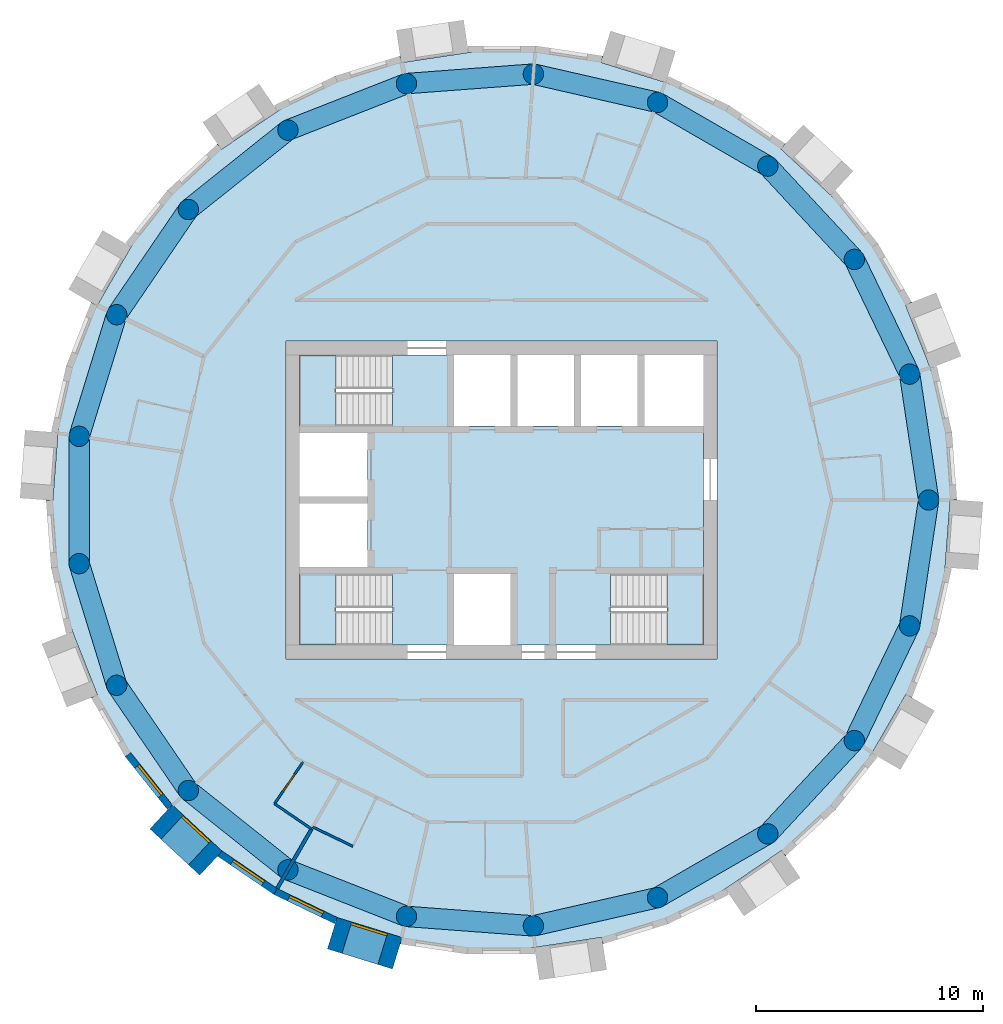
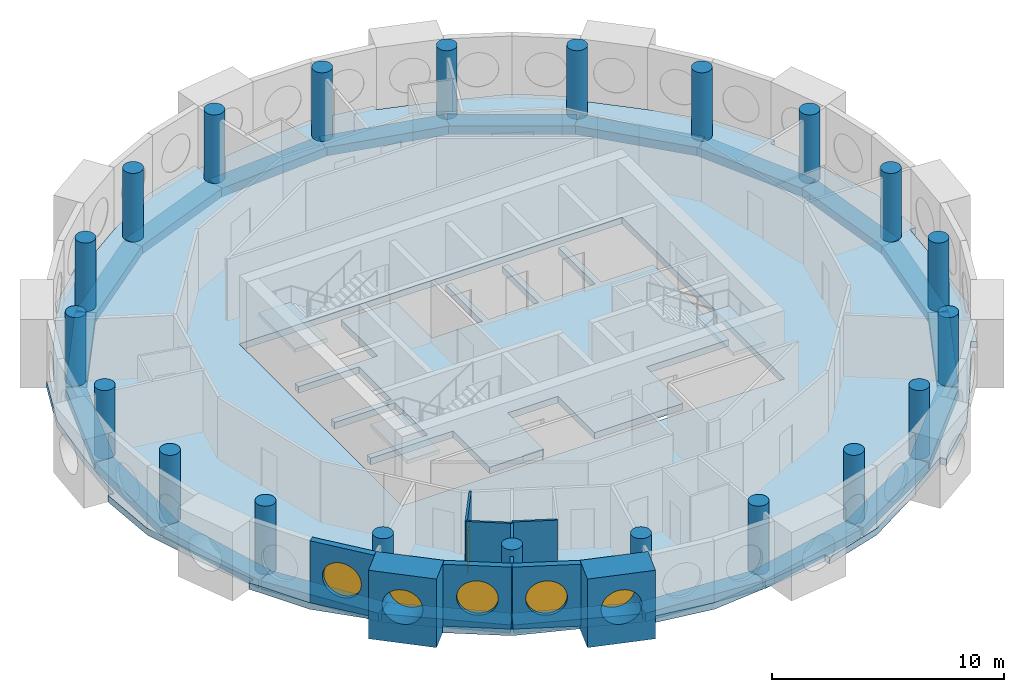
# One storey, part 1 of 13: 21 beams, 21 columns, 9 walls, 5 slabs, 5 windows, 1 door, 6 openings, 3 elements without a shape of their own.
"""IFC4 building model written with IfcOpenShell, lengths in metres."""

import ifcopenshell
import ifcopenshell.guid

model = None  # the IFC model being written
_history = None  # IfcOwnerHistory: only IFC2X3 demands one
_inside = {}  # id of a spatial element -> (the spatial element, [elements in it])
_under = {}  # id of a project, library or spatial element -> (it, [spatial elements below it])
_declared = {}  # id of a project -> (the project, [libraries it declares])
_typed = {}  # id of a type object -> (the type object, [elements of that type])
_made_of = {}  # id of a material, layer set ... -> (it, [elements and type objects made of it])


def new_model(schema):
    """Start an empty IFC model of exactly this schema.

    Asked for "IFC4X3", IfcOpenShell would pick the latest addendum, in which some entities
    have other attributes; the version numbers below select the first issue.
    IFC2X3 requires an IfcOwnerHistory on every rooted entity: one is made here for all.
    """
    global model, _history
    if schema == "IFC4X3":
        model = ifcopenshell.file(schema_version=(4, 3, 0, 0))
    else:
        model = ifcopenshell.file(schema=schema)
    _inside.clear()
    _under.clear()
    _declared.clear()
    _typed.clear()
    _made_of.clear()
    _history = None
    if model.schema == "IFC2X3":
        org = make("IfcOrganization", Name="unknown")
        user = make(
            "IfcPersonAndOrganization",
            ThePerson=make("IfcPerson", FamilyName="unknown"),
            TheOrganization=org,
        )
        app = make(
            "IfcApplication",
            ApplicationDeveloper=org,
            Version="unknown",
            ApplicationFullName="unknown",
            ApplicationIdentifier="unknown",
        )
        _history = make(
            "IfcOwnerHistory",
            OwningUser=user,
            OwningApplication=app,
            ChangeAction="ADDED",
            CreationDate=0,
        )
    return model


def make(cls, **values):
    """One entity of the class cls with the attributes given. An attribute that is None is left unset."""
    return model.create_entity(
        cls, **{name: value for name, value in values.items() if value is not None}
    )


def rooted(cls, **values):
    """An entity with a GlobalId (a new one), such as an element, a storey or a relation."""
    return make(cls, GlobalId=ifcopenshell.guid.new(), OwnerHistory=_history, **values)


def si_unit(unit_type, name, prefix=None):
    """IfcSIUnit, for example si_unit("LENGTHUNIT", "METRE", prefix="MILLI")."""
    return make("IfcSIUnit", UnitType=unit_type, Prefix=prefix, Name=name)


def assignment(units):
    """IfcUnitAssignment: the units of a project."""
    return None if units is None else make("IfcUnitAssignment", Units=units)


def point(xyz):
    """IfcCartesianPoint."""
    return None if xyz is None else make("IfcCartesianPoint", Coordinates=xyz)


def direction(xyz):
    """IfcDirection."""
    return None if xyz is None else make("IfcDirection", DirectionRatios=xyz)


def frame(location, z_axis=None, x_axis=None):
    """IfcAxis2Placement3D, a coordinate frame: its origin and axes. An axis left out is left unset."""
    return make(
        "IfcAxis2Placement3D",
        Location=point(location),
        Axis=direction(z_axis),
        RefDirection=direction(x_axis),
    )


def frame_2d(location, x_axis=None):
    """IfcAxis2Placement2D, a coordinate frame in the plane: its origin and x axis."""
    return make(
        "IfcAxis2Placement2D", Location=point(location), RefDirection=direction(x_axis)
    )


def origin():
    """The frame at (0, 0, 0) with its axes left unset."""
    return frame((0.0, 0.0, 0.0))


def origin_2d():
    """The frame at (0, 0) in the plane with its x axis left unset."""
    return frame_2d((0.0, 0.0))


def place(relative_to, where):
    """IfcLocalPlacement: puts the frame where relative to a parent placement (None: the world)."""
    return make(
        "IfcLocalPlacement", PlacementRelTo=relative_to, RelativePlacement=where
    )


def context(
    kind, dimensions, precision=None, world=None, true_north=None, identifier=None
):
    """IfcGeometricRepresentationContext, for example the 3D "Model" context."""
    return make(
        "IfcGeometricRepresentationContext",
        ContextIdentifier=identifier,
        ContextType=kind,
        CoordinateSpaceDimension=dimensions,
        Precision=precision,
        WorldCoordinateSystem=world,
        TrueNorth=true_north,
    )


def subcontext(parent, identifier, kind, view, scale=None):
    """IfcGeometricRepresentationSubContext, for example "Body" below "Model"."""
    return make(
        "IfcGeometricRepresentationSubContext",
        ContextIdentifier=identifier,
        ContextType=kind,
        ParentContext=parent,
        TargetScale=scale,
        TargetView=view,
    )


def project(units=None, contexts=None):
    """IfcProject with its units and contexts."""
    return rooted(
        "IfcProject",
        Name="project",
        RepresentationContexts=contexts,
        UnitsInContext=assignment(units),
    )


def spatial(cls, under=None, at=None, **own):
    """A site, building, storey or space (cls), placed at a placement, below another one or the project."""
    s = rooted(cls, ObjectPlacement=at, **own)
    if under is not None:
        _under.setdefault(under.id(), (under, []))[1].append(s)
    return s


def polyline(points):
    """IfcPolyline through the points."""
    return make("IfcPolyline", Points=[point(p) for p in points])


def profile(cls, at=None, kind="AREA", **sizes):
    """A parametric profile (cls). Its sizes go by their IFC names, for example OverallWidth=200.0."""
    return make(cls, ProfileType=kind, Position=at, **sizes)


def rectangle(**sizes):
    """IfcRectangleProfileDef."""
    return profile("IfcRectangleProfileDef", **sizes)


def circle(**sizes):
    """IfcCircleProfileDef."""
    return profile("IfcCircleProfileDef", **sizes)


def outline(outer, holes=None, kind="AREA"):
    """IfcArbitraryClosedProfileDef: a profile drawn as a closed curve; with holes, ...WithVoids."""
    if holes is None:
        return make("IfcArbitraryClosedProfileDef", ProfileType=kind, OuterCurve=outer)
    return make(
        "IfcArbitraryProfileDefWithVoids",
        ProfileType=kind,
        OuterCurve=outer,
        InnerCurves=holes,
    )


def extrude(swept, where, along, depth):
    """IfcExtrudedAreaSolid: the profile swept, set in the frame where, extruded along a direction by depth."""
    return make(
        "IfcExtrudedAreaSolid",
        SweptArea=swept,
        Position=where,
        ExtrudedDirection=direction(along),
        Depth=depth,
    )


def shape(context_of_items, identifier, shape_type, items):
    """IfcShapeRepresentation: the items that make up one representation, for example the "Body"."""
    return make(
        "IfcShapeRepresentation",
        ContextOfItems=context_of_items,
        RepresentationIdentifier=identifier,
        RepresentationType=shape_type,
        Items=items,
    )


def material(Name=None, Category=None):
    """IfcMaterial."""
    return make("IfcMaterial", Name=Name, Category=Category)


def layer(
    of_material, thickness, ventilated=None, Name=None, Category=None, Priority=None
):
    """IfcMaterialLayer: one layer of a wall or slab, of a material (None: an air gap)."""
    return make(
        "IfcMaterialLayer",
        Material=of_material,
        LayerThickness=thickness,
        IsVentilated=ventilated,
        Name=Name,
        Category=Category,
        Priority=Priority,
    )


def layer_set(layers, Name=None):
    """IfcMaterialLayerSet."""
    return make("IfcMaterialLayerSet", MaterialLayers=layers, LayerSetName=Name)


def material_profile(
    of_material, cross_section, Name=None, Category=None, Priority=None
):
    """IfcMaterialProfile: a cross section and its material."""
    return make(
        "IfcMaterialProfile",
        Name=Name,
        Material=of_material,
        Profile=cross_section,
        Priority=Priority,
        Category=Category,
    )


def profile_set(profiles, Name=None, composite=None):
    """IfcMaterialProfileSet."""
    return make(
        "IfcMaterialProfileSet",
        Name=Name,
        MaterialProfiles=profiles,
        CompositeProfile=composite,
    )


def made_of(thing, what):
    """Note that an element or type object is made of a material, layer set ...; save() writes the relation."""
    if what is not None:
        _made_of.setdefault(what.id(), (what, []))[1].append(thing)
    return thing


def type_object(cls, material=None, **own):
    """A type object (cls), such as IfcWallType, which elements share."""
    return made_of(rooted(cls, **own), material)


def element(
    cls,
    number,
    at=None,
    inside=None,
    cuts=None,
    type_object=None,
    material=None,
    context=None,
    identifier="Body",
    shape_type=None,
    held_by="IfcProductDefinitionShape",
    body=None,
    shapes=None,
    **own,
):
    """One element of the class cls, such as IfcWall. Its Tag is "e" and its number.

    at: its placement. inside: the storey or other place that contains it. cuts: it is an
    opening in that element (IfcRelVoidsElement). A single representation is given by context,
    identifier, shape_type and body (its items); several are given by shapes. held_by: the class
    of the entity that holds the representations. save() writes the other relations.
    """
    e = rooted(cls, Tag="e%d" % number, ObjectPlacement=at, **own)
    if body is not None:
        shapes = [shape(context, identifier, shape_type, body)]
    if shapes is not None:
        e.Representation = make(held_by, Representations=shapes)
    if inside is not None:
        _inside.setdefault(inside.id(), (inside, []))[1].append(e)
    if cuts is not None:
        rooted(
            "IfcRelVoidsElement", RelatingBuildingElement=cuts, RelatedOpeningElement=e
        )
    if type_object is not None:
        _typed.setdefault(type_object.id(), (type_object, []))[1].append(e)
    return made_of(e, material)


def fill(opening, filler):
    """IfcRelFillsElement: the door or window that sits in an opening."""
    return rooted(
        "IfcRelFillsElement",
        RelatingOpeningElement=opening,
        RelatedBuildingElement=filler,
    )


def aggregate(whole, parts):
    """IfcRelAggregates: a whole, such as a stair, and the parts it consists of."""
    return rooted("IfcRelAggregates", RelatingObject=whole, RelatedObjects=parts)


def save(model, path):
    """Write the relations noted so far, then the file.

    IfcRelAggregates (storeys below a building ...), IfcRelContainedInSpatialStructure (elements
    in a storey), IfcRelDefinesByType, IfcRelAssociatesMaterial and IfcRelDeclares: one each for
    every whole, place, type object, material and project.
    """
    for whole, parts in _under.values():
        aggregate(whole, parts)
    for where, things in _inside.values():
        rooted(
            "IfcRelContainedInSpatialStructure",
            RelatedElements=things,
            RelatingStructure=where,
        )
    for kind, things in _typed.values():
        rooted("IfcRelDefinesByType", RelatedObjects=things, RelatingType=kind)
    for what, things in _made_of.values():
        rooted("IfcRelAssociatesMaterial", RelatedObjects=things, RelatingMaterial=what)
    for by, libraries in _declared.values():
        rooted("IfcRelDeclares", RelatingContext=by, RelatedDefinitions=libraries)
    model.write(path)


model = new_model("IFC4")

# Units and contexts
model_context = context("Model", 3, precision=1e-05, world=origin(), true_north=direction((0.0, 1.0)))
body_context = subcontext(model_context, "Body", "Model", "MODEL_VIEW")
ifc_project = project(units=[si_unit("LENGTHUNIT", "METRE"), si_unit("AREAUNIT", "SQUARE_METRE"), si_unit("VOLUMEUNIT", "CUBIC_METRE"), si_unit("PLANEANGLEUNIT", "RADIAN"), si_unit("MASSUNIT", "GRAM", prefix="KILO")], contexts=[model_context])

# Site, building, storey
site_placement = place(None, origin())
site = spatial("IfcSite", under=ifc_project, at=site_placement, CompositionType="ELEMENT")
building_placement = place(site_placement, origin())
building = spatial("IfcBuilding", under=site, at=building_placement, Name="Tracery Tower", CompositionType="ELEMENT")
storey_placement = place(building_placement, frame((0.0, 0.0, 301.800048828125)))
storey = spatial("IfcBuildingStorey", under=building, at=storey_placement, Name="L78", CompositionType="ELEMENT", Elevation=301.800048828125)

# Columns
ifc_material_1 = material(Name="Concrete C40/50", Category="concrete")
ifc_material_profile_1 = material_profile(ifc_material_1, circle(Radius=0.449951171875, at=origin_2d()), Name="RC D900")
ifc_profile_set_1 = profile_set([ifc_material_profile_1], Name="Concrete C40/50")
column_type = type_object("IfcColumnType", Name="Ring 2 column 900", PredefinedType="COLUMN", material=ifc_profile_set_1)
for number, where, z_axis, x_axis, name in (
    (1, (18.822265625, 0.0, 0.0), (0.0, 0.0, 1.0), (1.0, 0.0, 0.0), "Ring 2 column 00 at L78"),
    (2, (17.986083984375, 5.5478515625, 0.0), (0.0, 0.0, 1.0), (1.0, 0.0, 0.0), "Ring 2 column 01 at L78"),
    (3, (15.551513671875, 10.602783203125, 0.0), (0.0, 0.0, 1.0), (1.0, 0.0, 0.0), "Ring 2 column 02 at L78"),
    (4, (11.7353515625, 14.7158203125, 0.0), (0.0, 0.0, 1.0), (1.0, 0.0, 0.0), "Ring 2 column 03 at L78"),
    (5, (6.87646484375, 17.52099609375, 0.0), (0.0, 0.0, 1.0), (1.0, 0.0, 0.0), "Ring 2 column 04 at L78"),
    (6, (1.406494140625, 18.76953125, 0.0), (0.0, 0.0, 1.0), (1.0, 0.0, 0.0), "Ring 2 column 05 at L78"),
    (7, (-4.188232421875, 18.350341796875, 0.0), (0.0, 0.0, 1.0), (1.0, 0.0, 0.0), "Ring 2 column 06 at L78"),
    (8, (-9.4111328125, 16.300537109375, 0.0), (0.0, 0.0, 1.0), (1.0, 0.0, 0.0), "Ring 2 column 07 at L78"),
    (9, (-13.797607421875, 12.802490234375, 0.0), (0.0, 0.0, 1.0), (1.0, 0.0, 0.0), "Ring 2 column 08 at L78"),
    (10, (-16.958251953125, 8.16650390625, 0.0), (0.0, 0.0, 1.0), (1.0, 0.0, 0.0), "Ring 2 column 09 at L78"),
    (11, (-18.612060546875, 2.805419921875, 0.0), (0.0, 0.0, 1.0), (1.0, 0.0, 0.0), "Ring 2 column 10 at L78"),
    (12, (-18.612060546875, -2.805419921875, 0.0), (0.0, 0.0, 1.0), (1.0, 0.0, 0.0), "Ring 2 column 11 at L78"),
    (13, (-16.958251953125, -8.166748046875, 0.0), (0.0, 0.0, 1.0), (1.0, 0.0, 0.0), "Ring 2 column 12 at L78"),
    (14, (-13.797607421875, -12.80224609375, 0.0), (0.0, 0.0, 1.0), (1.0, 0.0, 0.0), "Ring 2 column 13 at L78"),
    (15, (-9.4111328125, -16.300537109375, 0.0), (0.0, 0.0, 1.0), (1.0, 0.0, 0.0), "Ring 2 column 14 at L78"),
    (16, (-4.188232421875, -18.350341796875, 0.0), (0.0, 0.0, 1.0), (1.0, 0.0, 0.0), "Ring 2 column 15 at L78"),
    (17, (1.406494140625, -18.76953125, 0.0), (0.0, 0.0, 1.0), (1.0, 0.0, 0.0), "Ring 2 column 16 at L78"),
    (18, (6.87646484375, -17.52099609375, 0.0), (0.0, 0.0, 1.0), (1.0, 0.0, 0.0), "Ring 2 column 17 at L78"),
    (19, (11.7353515625, -14.7158203125, 0.0), (0.0, 0.0, 1.0), (1.0, 0.0, 0.0), "Ring 2 column 18 at L78"),
    (20, (15.551513671875, -10.602783203125, 0.0), (0.0, 0.0, 1.0), (1.0, 0.0, 0.0), "Ring 2 column 19 at L78"),
    (21, (17.986083984375, -5.5478515625, 0.0), (0.0, 0.0, 1.0), (1.0, 0.0, 0.0), "Ring 2 column 20 at L78"),
):
    element("IfcColumn", number, at=place(storey_placement, frame(where, z_axis=z_axis, x_axis=x_axis)), inside=storey, type_object=column_type, Name=name, PredefinedType="COLUMN", context=body_context, shape_type="SweptSolid", body=[
        extrude(circle(Radius=0.449951171875, at=origin_2d()), origin(), (0.0, 0.0, 1.0), 3.599853515625),
    ])

# Beams
ifc_material_2 = material(Name="Concrete C40/50", Category="concrete")
ifc_material_profile_2 = material_profile(ifc_material_2, rectangle(XDim=0.89990234375, YDim=0.449951171875, at=origin_2d()), Name="RC 900x450")
ifc_profile_set_2 = profile_set([ifc_material_profile_2], Name="Concrete C40/50")
beam_type = type_object("IfcBeamType", Name="Perimeter band beam 900x450", PredefinedType="BEAM", material=ifc_profile_set_2)
for number, where, z_axis, x_axis, name in (
    (22, (18.822265625, 0.0, -0.574951171875), (-0.149038355855, 0.988831415603, 0.0), (-0.988831415603, -0.149038355855, 0.0), "Perimeter beam 2.00 under L78"),
    (23, (17.986083984375, 5.5478515625, -0.574951171875), (-0.433918973155, 0.900951899235, 0.0), (-0.900951899235, -0.433918973155, 0.0), "Perimeter beam 2.01 under L78"),
):
    element("IfcBeam", number, at=place(storey_placement, frame(where, z_axis=z_axis, x_axis=x_axis)), inside=storey, type_object=beam_type, Name=name, PredefinedType="BEAM", context=body_context, shape_type="SweptSolid", body=[
        extrude(rectangle(XDim=0.89990234375, YDim=0.449951171875, at=origin_2d()), origin(), (0.0, 0.0, 1.0), 5.610595703125),
    ])
beam_1_placement = place(storey_placement, frame((15.551513671875, 10.602783203125, -0.574951171875), z_axis=(-0.680155630824, 0.733067744386, 0.0), x_axis=(-0.733067744386, -0.680155630824, 0.0)))
element("IfcBeam", 24, at=beam_1_placement, inside=storey, type_object=beam_type, Name="Perimeter beam 2.02 under L78", PredefinedType="BEAM", context=body_context, shape_type="SweptSolid", body=[
    extrude(rectangle(XDim=0.89990234375, YDim=0.449951171875, at=origin_2d()), origin(), (0.0, 0.0, 1.0), 5.61083984375),
])
for number, where, z_axis, x_axis, name in (
    (25, (11.7353515625, 14.7158203125, -0.574951171875), (-0.866033412818, 0.49998612769, 0.0), (-0.49998612769, -0.866033412818, 0.0), "Perimeter beam 2.03 under L78"),
    (26, (6.87646484375, 17.52099609375, -0.574951171875), (-0.974925977366, 0.222529410768, 0.0), (-0.222529410768, -0.974925977366, 0.0), "Perimeter beam 2.04 under L78"),
):
    element("IfcBeam", number, at=place(storey_placement, frame(where, z_axis=z_axis, x_axis=x_axis)), inside=storey, type_object=beam_type, Name=name, PredefinedType="BEAM", context=body_context, shape_type="SweptSolid", body=[
        extrude(rectangle(XDim=0.89990234375, YDim=0.449951171875, at=origin_2d()), origin(), (0.0, 0.0, 1.0), 5.610595703125),
    ])
beam_2_placement = place(storey_placement, frame((1.406494140625, 18.76953125, -0.574951171875), z_axis=(-0.997204824387, -0.07471638521, 0.0), x_axis=(0.07471638521, -0.997204824387, 0.0)))
element("IfcBeam", 27, at=beam_2_placement, inside=storey, type_object=beam_type, Name="Perimeter beam 2.05 under L78", PredefinedType="BEAM", context=body_context, shape_type="SweptSolid", body=[
    extrude(rectangle(XDim=0.89990234375, YDim=0.449951171875, at=origin_2d()), origin(), (0.0, 0.0, 1.0), 5.6103515625),
])
beam_3_placement = place(storey_placement, frame((-4.188232421875, 18.350341796875, -0.574951171875), z_axis=(-0.930875728468, -0.365335979817, 0.0), x_axis=(0.365335979817, -0.930875728468, 0.0)))
element("IfcBeam", 28, at=beam_3_placement, inside=storey, type_object=beam_type, Name="Perimeter beam 2.06 under L78", PredefinedType="BEAM", context=body_context, shape_type="SweptSolid", body=[
    extrude(rectangle(XDim=0.89990234375, YDim=0.449951171875, at=origin_2d()), origin(), (0.0, 0.0, 1.0), 5.61083984375),
])
beam_4_placement = place(storey_placement, frame((-9.4111328125, 16.300537109375, -0.574951171875), z_axis=(-0.781835817725, -0.623484365579, 0.0), x_axis=(0.623484365579, -0.781835817725, 0.0)))
element("IfcBeam", 29, at=beam_4_placement, inside=storey, type_object=beam_type, Name="Perimeter beam 2.07 under L78", PredefinedType="BEAM", context=body_context, shape_type="SweptSolid", body=[
    extrude(rectangle(XDim=0.89990234375, YDim=0.449951171875, at=origin_2d()), origin(), (0.0, 0.0, 1.0), 5.610595703125),
])
beam_5_placement = place(storey_placement, frame((-13.797607421875, 12.802490234375, -0.574951171875), z_axis=(-0.563305770578, -0.826248515178, 0.0), x_axis=(0.826248515178, -0.563305770578, 0.0)))
element("IfcBeam", 30, at=beam_5_placement, inside=storey, type_object=beam_type, Name="Perimeter beam 2.08 under L78", PredefinedType="BEAM", context=body_context, shape_type="SweptSolid", body=[
    extrude(rectangle(XDim=0.89990234375, YDim=0.449951171875, at=origin_2d()), origin(), (0.0, 0.0, 1.0), 5.61083984375),
])
beam_6_placement = place(storey_placement, frame((-16.958251953125, 8.16650390625, -0.574951171875), z_axis=(-0.294776851839, -0.955566118916, 0.0), x_axis=(0.955566118916, -0.294776851839, 0.0)))
element("IfcBeam", 31, at=beam_6_placement, inside=storey, type_object=beam_type, Name="Perimeter beam 2.09 under L78", PredefinedType="BEAM", context=body_context, shape_type="SweptSolid", body=[
    extrude(rectangle(XDim=0.89990234375, YDim=0.449951171875, at=origin_2d()), origin(), (0.0, 0.0, 1.0), 5.6103515625),
])
beam_7_placement = place(storey_placement, frame((-18.612060546875, 2.805419921875, -0.574951171875), z_axis=(0.0, -1.0, 0.0), x_axis=(1.0, 0.0, 0.0)))
element("IfcBeam", 32, at=beam_7_placement, inside=storey, type_object=beam_type, Name="Perimeter beam 2.10 under L78", PredefinedType="BEAM", context=body_context, shape_type="SweptSolid", body=[
    extrude(rectangle(XDim=0.89990234375, YDim=0.449951171875, at=origin_2d()), origin(), (0.0, 0.0, 1.0), 5.61083984375),
])
for number, where, z_axis, x_axis, name in (
    (33, (-18.612060546875, -2.805419921875, -0.574951171875), (0.294764594813, -0.955569899926, 0.0), (0.955569899926, 0.294764594813, 0.0), "Perimeter beam 2.11 under L78"),
    (34, (-16.958251953125, -8.166748046875, -0.574951171875), (0.5633462764, -0.826220898348, 0.0), (0.826220898348, 0.5633462764, 0.0), "Perimeter beam 2.12 under L78"),
    (35, (-13.797607421875, -12.80224609375, -0.574951171875), (0.781814605872, -0.623510963853, 0.0), (0.623510963853, 0.781814605872, 0.0), "Perimeter beam 2.13 under L78"),
):
    element("IfcBeam", number, at=place(storey_placement, frame(where, z_axis=z_axis, x_axis=x_axis)), inside=storey, type_object=beam_type, Name=name, PredefinedType="BEAM", context=body_context, shape_type="SweptSolid", body=[
        extrude(rectangle(XDim=0.89990234375, YDim=0.449951171875, at=origin_2d()), origin(), (0.0, 0.0, 1.0), 5.610595703125),
    ])
beam_8_placement = place(storey_placement, frame((-9.4111328125, -16.300537109375, -0.574951171875), z_axis=(0.930875728468, -0.365335979817, 0.0), x_axis=(0.365335979817, 0.930875728468, 0.0)))
element("IfcBeam", 36, at=beam_8_placement, inside=storey, type_object=beam_type, Name="Perimeter beam 2.14 under L78", PredefinedType="BEAM", context=body_context, shape_type="SweptSolid", body=[
    extrude(rectangle(XDim=0.89990234375, YDim=0.449951171875, at=origin_2d()), origin(), (0.0, 0.0, 1.0), 5.61083984375),
])
beam_9_placement = place(storey_placement, frame((-4.188232421875, -18.350341796875, -0.574951171875), z_axis=(0.997204824387, -0.07471638521, 0.0), x_axis=(0.07471638521, 0.997204824387, 0.0)))
element("IfcBeam", 37, at=beam_9_placement, inside=storey, type_object=beam_type, Name="Perimeter beam 2.15 under L78", PredefinedType="BEAM", context=body_context, shape_type="SweptSolid", body=[
    extrude(rectangle(XDim=0.89990234375, YDim=0.449951171875, at=origin_2d()), origin(), (0.0, 0.0, 1.0), 5.6103515625),
])
for number, where, z_axis, x_axis, name in (
    (38, (1.406494140625, -18.76953125, -0.574951171875), (0.974925977366, 0.222529410768, 0.0), (-0.222529410768, 0.974925977366, 0.0), "Perimeter beam 2.16 under L78"),
    (39, (6.87646484375, -17.52099609375, -0.574951171875), (0.866033412818, 0.49998612769, 0.0), (-0.49998612769, 0.866033412818, 0.0), "Perimeter beam 2.17 under L78"),
):
    element("IfcBeam", number, at=place(storey_placement, frame(where, z_axis=z_axis, x_axis=x_axis)), inside=storey, type_object=beam_type, Name=name, PredefinedType="BEAM", context=body_context, shape_type="SweptSolid", body=[
        extrude(rectangle(XDim=0.89990234375, YDim=0.449951171875, at=origin_2d()), origin(), (0.0, 0.0, 1.0), 5.610595703125),
    ])
beam_10_placement = place(storey_placement, frame((11.7353515625, -14.7158203125, -0.574951171875), z_axis=(0.680155630824, 0.733067744386, 0.0), x_axis=(-0.733067744386, 0.680155630824, 0.0)))
element("IfcBeam", 40, at=beam_10_placement, inside=storey, type_object=beam_type, Name="Perimeter beam 2.18 under L78", PredefinedType="BEAM", context=body_context, shape_type="SweptSolid", body=[
    extrude(rectangle(XDim=0.89990234375, YDim=0.449951171875, at=origin_2d()), origin(), (0.0, 0.0, 1.0), 5.61083984375),
])
for number, where, z_axis, x_axis, name in (
    (41, (15.551513671875, -10.602783203125, -0.574951171875), (0.433918973155, 0.900951899235, 0.0), (-0.900951899235, 0.433918973155, 0.0), "Perimeter beam 2.19 under L78"),
    (42, (17.986083984375, -5.5478515625, -0.574951171875), (0.149038355855, 0.988831415603, 0.0), (-0.988831415603, 0.149038355855, 0.0), "Perimeter beam 2.20 under L78"),
):
    element("IfcBeam", number, at=place(storey_placement, frame(where, z_axis=z_axis, x_axis=x_axis)), inside=storey, type_object=beam_type, Name=name, PredefinedType="BEAM", context=body_context, shape_type="SweptSolid", body=[
        extrude(rectangle(XDim=0.89990234375, YDim=0.449951171875, at=origin_2d()), origin(), (0.0, 0.0, 1.0), 5.610595703125),
    ])

# Slabs
ifc_material_3 = material(Name="Concrete C40/50", Category="concrete")
ifc_layer_1 = layer(ifc_material_3, 0.35009765625)
ifc_layer_set_1 = layer_set([ifc_layer_1], Name="Core floor slab 350 C40")
slab_type_1 = type_object("IfcSlabType", Name="Core floor slab 350 C40", PredefinedType="FLOOR", material=ifc_layer_set_1)
slab_1_placement = place(storey_placement, frame((0.0, 0.0, -0.35009765625)))
element("IfcSlab", 43, at=slab_1_placement, inside=storey, type_object=slab_type_1, Name="L78 core floor 1", PredefinedType="FLOOR", context=body_context, shape_type="SweptSolid", body=[
    extrude(outline(polyline([(-4.800537109375, -3.25), (-8.89990234375, -3.25), (-8.89990234375, -2.949951171875), (-5.89990234375, -2.949951171875), (-5.89990234375, -0.14990234375), (-8.89990234375, -0.14990234375), (-8.89990234375, 0.14990234375), (-5.89990234375, 0.14990234375), (-5.89990234375, 2.949951171875), (-8.89990234375, 2.949951171875), (-8.89990234375, 3.25), (-4.800537109375, 3.25), (-4.800537109375, 6.39990234375), (-2.10009765625, 6.39990234375), (-2.10009765625, 3.25), (0.39990234375, 3.25), (0.39990234375, 6.39990234375), (0.699951171875, 6.39990234375), (0.699951171875, 3.25), (3.199951171875, 3.25), (3.199951171875, 6.39990234375), (3.5, 6.39990234375), (3.5, 3.25), (6.0, 3.25), (6.0, 6.39990234375), (6.300048828125, 6.39990234375), (6.300048828125, 3.25), (8.89990234375, 3.25), (8.89990234375, -3.25), (4.800537109375, -3.25), (4.800537109375, -6.39990234375), (0.39990234375, -6.39990234375), (0.39990234375, -3.25), (-2.10009765625, -3.25), (-2.10009765625, -6.39990234375), (-4.800537109375, -6.39990234375), (-4.800537109375, -3.25)])), origin(), (0.0, 0.0, 1.0), 0.35009765625),
])
ifc_material_4 = material(Name="Concrete C40/50", Category="concrete")
ifc_layer_2 = layer(ifc_material_4, 0.35009765625)
ifc_layer_set_2 = layer_set([ifc_layer_2], Name="Floor slab 350")
slab_type_2 = type_object("IfcSlabType", Name="Floor slab 350", PredefinedType="FLOOR", material=ifc_layer_set_2)
slab_2_placement = place(storey_placement, frame((0.0, 0.0, -0.35009765625)))
element("IfcSlab", 44, at=slab_2_placement, inside=storey, type_object=slab_type_2, Name="Floor slab L78", PredefinedType="FLOOR", context=body_context, shape_type="SweptSolid", body=[
    extrude(outline(polyline([(18.89306640625, 5.827392578125), (17.80517578125, 8.599365234375), (18.084228515625, 8.708984375), (18.08447265625, 8.708984375), (16.58447265625, 11.30712890625), (14.493408203125, 13.447998046875), (12.3271484375, 15.4580078125), (12.3271484375, 15.4580078125), (12.310791015625, 15.47314453125), (12.5146484375, 15.69287109375), (12.514892578125, 15.693115234375), (10.0361328125, 17.383056640625), (7.223388671875, 18.404541015625), (4.3994140625, 19.275634765625), (4.3994140625, 19.275634765625), (4.378173828125, 19.2822265625), (4.466552734375, 19.56884765625), (1.5, 20.01611328125), (-1.47705078125, 19.716064453125), (-2.3466796875, 19.585205078125), (-4.3994140625, 19.275634765625), (-4.3994140625, 19.275634765625), (-4.421875, 19.272216796875), (-4.46630859375, 19.568603515625), (-4.466552734375, 19.56884765625), (-7.333251953125, 18.684814453125), (-9.885498046875, 17.12255859375), (-12.345703125, 15.4453125), (-12.514892578125, 15.693115234375), (-14.714111328125, 13.652587890625), (-16.335693359375, 11.13818359375), (-17.82470703125, 8.55908203125), (-18.08447265625, 8.708984375), (-19.180419921875, 5.91650390625), (-19.550537109375, 2.94677734375), (-19.63720703125, 1.789306640625), (-19.77294921875, -0.0224609375), (-20.072265625, 0.0), (-20.072265625, 0.0), (-19.847900390625, -2.99169921875), (-18.89306640625, -5.827392578125), (-17.80517578125, -8.599365234375), (-18.084228515625, -8.708984375), (-18.08447265625, -8.708984375), (-16.58447265625, -11.30712890625), (-14.493408203125, -13.447998046875), (-12.3271484375, -15.4580078125), (-12.3271484375, -15.4580078125), (-12.310791015625, -15.47314453125), (-12.5146484375, -15.69287109375), (-12.514892578125, -15.693115234375), (-10.0361328125, -17.383056640625), (-7.223388671875, -18.404541015625), (-4.3994140625, -19.275634765625), (-4.3994140625, -19.275634765625), (-4.378173828125, -19.2822265625), (-4.466552734375, -19.56884765625), (-1.5, -20.01611328125), (1.47705078125, -19.716064453125), (2.3466796875, -19.585205078125), (4.3994140625, -19.275634765625), (4.3994140625, -19.275634765625), (4.421875, -19.272216796875), (4.46630859375, -19.568603515625), (4.466552734375, -19.56884765625), (7.333251953125, -18.684814453125), (9.885498046875, -17.12255859375), (12.345703125, -15.4453125), (12.514892578125, -15.693115234375), (14.714111328125, -13.652587890625), (16.335693359375, -11.13818359375), (17.82470703125, -8.55908203125), (18.08447265625, -8.708984375), (19.180419921875, -5.91650390625), (19.550537109375, -2.94677734375), (19.63720703125, -1.789306640625), (19.77294921875, 0.0224609375), (20.072265625, 0.0), (19.847900390625, 2.99169921875), (18.89306640625, 5.827392578125)]), holes=[polyline([(-9.5, -7.0), (9.5, -7.0), (9.5, 7.0), (-9.5, 7.0), (-9.5, -7.0)])]), origin(), (0.0, 0.0, 1.0), 0.35009765625),
])

# Stair, slab
ifc_material_5 = material(Name="Concrete C32/40", Category="concrete")
stair_type = type_object("IfcStairType", Name="Core stair 22 risers", PredefinedType="HALF_TURN_STAIR", material=ifc_material_5)
stair_1_placement = place(storey_placement, origin())
stair_1 = element("IfcStair", 45, at=stair_1_placement, inside=storey, type_object=stair_type, Name="L78 stair ST1", PredefinedType="HALF_TURN_STAIR")
ifc_material_6 = material(Name="Concrete C32/40", Category="concrete")
ifc_layer_3 = layer(ifc_material_6, 0.199951171875)
ifc_layer_set_3 = layer_set([ifc_layer_3], Name="Stair landing slab 200")
slab_type_3 = type_object("IfcSlabType", Name="Stair landing slab 200", PredefinedType="LANDING", material=ifc_layer_set_3)
slab_3_placement = place(storey_placement, frame((0.0, 0.0, 1.599853515625)))
slab_3 = element("IfcSlab", 46, at=slab_3_placement, type_object=slab_type_3, Name="ST1 landing 1", PredefinedType="LANDING", context=body_context, shape_type="SweptSolid", body=[
    extrude(outline(polyline([(-7.29931640625, -3.25), (-8.89990234375, -3.25), (-8.89990234375, -6.39990234375), (-7.29931640625, -6.39990234375), (-7.29931640625, -3.25)])), origin(), (0.0, 0.0, 1.0), 0.2001953125),
])
aggregate(stair_1, [slab_3])

stair_2_placement = place(storey_placement, origin())
stair_2 = element("IfcStair", 47, at=stair_2_placement, inside=storey, type_object=stair_type, Name="L78 stair ST3", PredefinedType="HALF_TURN_STAIR")
slab_4_placement = place(storey_placement, frame((0.0, 0.0, 1.599853515625)))
slab_4 = element("IfcSlab", 48, at=slab_4_placement, type_object=slab_type_3, Name="ST3 landing 1", PredefinedType="LANDING", context=body_context, shape_type="SweptSolid", body=[
    extrude(outline(polyline([(-7.29931640625, 6.39990234375), (-8.89990234375, 6.39990234375), (-8.89990234375, 3.25), (-7.29931640625, 3.25), (-7.29931640625, 6.39990234375)])), origin(), (0.0, 0.0, 1.0), 0.2001953125),
])
aggregate(stair_2, [slab_4])

stair_3_placement = place(storey_placement, origin())
stair_3 = element("IfcStair", 49, at=stair_3_placement, inside=storey, type_object=stair_type, Name="L78 stair ST2", PredefinedType="HALF_TURN_STAIR")
slab_5_placement = place(storey_placement, frame((0.0, 0.0, 1.599853515625)))
slab_5 = element("IfcSlab", 50, at=slab_5_placement, type_object=slab_type_3, Name="ST2 landing 1", PredefinedType="LANDING", context=body_context, shape_type="SweptSolid", body=[
    extrude(outline(polyline([(7.29931640625, -6.39990234375), (8.89990234375, -6.39990234375), (8.89990234375, -3.25), (7.29931640625, -3.25), (7.29931640625, -6.39990234375)])), origin(), (0.0, 0.0, 1.0), 0.2001953125),
])
aggregate(stair_3, [slab_5])

# Wall, opening, window
ifc_material_7 = material(Name="Precast concrete C50/60", Category="concrete")
ifc_layer_4 = layer(ifc_material_7, 1.449951171875)
ifc_layer_set_4 = layer_set([ifc_layer_4], Name="Deep-set bay unit 3000 x 3600, slab edge 350")
wall_type_1 = type_object("IfcWallType", Name="Deep-set bay unit 3000 x 3600, slab edge 350", PredefinedType="ELEMENTEDWALL", material=ifc_layer_set_4)
wall_1_placement = place(storey_placement, frame((-15.0029296875, -13.964111328125, -0.35009765625), z_axis=(0.0, 0.0, 1.0), x_axis=(0.733022439167, -0.680204457261, 0.0)))
wall_1 = element("IfcWall", 51, at=wall_1_placement, inside=storey, type_object=wall_type_1, Name="Deep-set bay unit 27 at L78", PredefinedType="ELEMENTEDWALL", context=body_context, shape_type="SweptSolid", body=[
    extrude(rectangle(XDim=2.999755859375, YDim=1.449951171875, at=frame_2d((1.5, 0.0))), origin(), (0.0, 0.0, 1.0), 3.60009765625),
])
opening_1_placement = place(wall_1_placement, frame((1.5, 0.0, 1.89990234375)))
opening_1 = element("IfcOpeningElement", 52, at=opening_1_placement, cuts=wall_1, Name="Opening WN1", PredefinedType="OPENING", context=body_context, shape_type="SweptSolid", body=[
    extrude(circle(Radius=0.9000244140625, at=origin_2d()), frame((0.0, 0.73486328125, 0.0), z_axis=(0.0, -1.0, 0.0), x_axis=(1.0, 0.0, 0.0)), (0.0, 0.0, 1.0), 1.469970703125),
])
ifc_material_8 = material(Name="Aluminium frame with tinted double glazing", Category="aluminium")
window_type = type_object("IfcWindowType", Name="Round window 1800", PartitioningType="SINGLE_PANEL", PredefinedType="WINDOW", material=ifc_material_8)
window_1_placement = place(opening_1_placement, origin())
window_1 = element("IfcWindow", 53, at=window_1_placement, inside=storey, type_object=window_type, Name="Round window 27 at L78", OverallHeight=1.800048828125, OverallWidth=1.800048828125, PartitioningType="SINGLE_PANEL", PredefinedType="WINDOW", context=body_context, shape_type="SweptSolid", body=[
    extrude(circle(Radius=0.9000244140625, at=origin_2d()), frame((0.0, 0.69482421875, 0.0), z_axis=(0.0, -1.0, 0.0), x_axis=(1.0, 0.0, 0.0)), (0.0, 0.0, 1.0), 0.10009765625),
])
fill(opening_1, window_1)

wall_2_placement = place(storey_placement, frame((-7.45849609375, -19.0908203125, -0.35009765625), z_axis=(0.0, 0.0, 1.0), x_axis=(0.955571139978, -0.294760574774, 0.0)))
wall_2 = element("IfcWall", 54, at=wall_2_placement, inside=storey, type_object=wall_type_1, Name="Deep-set bay unit 30 at L78", PredefinedType="ELEMENTEDWALL", context=body_context, shape_type="SweptSolid", body=[
    extrude(rectangle(XDim=3.0, YDim=1.449951171875, at=frame_2d((1.5, 0.0))), origin(), (0.0, 0.0, 1.0), 3.60009765625),
])
opening_2_placement = place(wall_2_placement, frame((1.5, 0.0, 1.89990234375)))
opening_2 = element("IfcOpeningElement", 55, at=opening_2_placement, cuts=wall_2, Name="Opening WN1", PredefinedType="OPENING", context=body_context, shape_type="SweptSolid", body=[
    extrude(circle(Radius=0.9000244140625, at=origin_2d()), frame((0.0, 0.73486328125, 0.0), z_axis=(0.0, -1.0, 0.0), x_axis=(1.0, 0.0, 0.0)), (0.0, 0.0, 1.0), 1.469970703125),
])
window_2_placement = place(opening_2_placement, origin())
window_2 = element("IfcWindow", 56, at=window_2_placement, inside=storey, type_object=window_type, Name="Round window 30 at L78", OverallHeight=1.800048828125, OverallWidth=1.800048828125, PartitioningType="SINGLE_PANEL", PredefinedType="WINDOW", context=body_context, shape_type="SweptSolid", body=[
    extrude(circle(Radius=0.9000244140625, at=origin_2d()), frame((0.0, 0.69482421875, 0.0), z_axis=(0.0, -1.0, 0.0), x_axis=(1.0, 0.0, 0.0)), (0.0, 0.0, 1.0), 0.10009765625),
])
fill(opening_2, window_2)

ifc_material_9 = material(Name="Precast concrete C50/60", Category="concrete")
ifc_layer_5 = layer(ifc_material_9, 0.300048828125)
ifc_layer_set_5 = layer_set([ifc_layer_5], Name="Facade panel 3000 x 3250")
wall_type_2 = type_object("IfcWallType", Name="Facade panel 3000 x 3250", PredefinedType="SOLIDWALL", material=ifc_layer_set_5)
wall_3_placement = place(storey_placement, frame((-16.460205078125, -11.222412109375, 0.0), z_axis=(0.0, 0.0, 1.0), x_axis=(0.623498236992, -0.781824755599, 0.0)))
wall_3 = element("IfcWall", 57, at=wall_3_placement, inside=storey, type_object=wall_type_2, Name="Facade panel 26 at L78", PredefinedType="SOLIDWALL", context=body_context, shape_type="SweptSolid", body=[
    extrude(rectangle(XDim=2.962158203125, YDim=0.300048828125, at=frame_2d((1.48095703125, 0.0))), origin(), (0.0, 0.0, 1.0), 3.25),
])
opening_3_placement = place(wall_3_placement, frame((1.48095703125, 0.0, 1.5498046875)))
opening_3 = element("IfcOpeningElement", 58, at=opening_3_placement, cuts=wall_3, Name="Opening WN1", PredefinedType="OPENING", context=body_context, shape_type="SweptSolid", body=[
    extrude(circle(Radius=0.9000244140625, at=origin_2d()), frame((0.0, 0.159912109375, 0.0), z_axis=(0.0, -1.0, 0.0), x_axis=(1.0, 0.0, 0.0)), (0.0, 0.0, 1.0), 0.320068359375),
])
window_3_placement = place(opening_3_placement, origin())
window_3 = element("IfcWindow", 59, at=window_3_placement, inside=storey, type_object=window_type, Name="Round window 26 at L78", OverallHeight=1.800048828125, OverallWidth=1.800048828125, PartitioningType="SINGLE_PANEL", PredefinedType="WINDOW", context=body_context, shape_type="SweptSolid", body=[
    extrude(circle(Radius=0.9000244140625, at=origin_2d()), frame((0.0, 0.1201171875, 0.0), z_axis=(0.0, -1.0, 0.0), x_axis=(1.0, 0.0, 0.0)), (0.0, 0.0, 1.0), 0.10009765625),
])
fill(opening_3, window_3)

wall_4_placement = place(storey_placement, frame((-12.408447265625, -15.583984375, 0.0), z_axis=(0.0, 0.0, 1.0), x_axis=(0.826236061068, -0.563324037646, 0.0)))
wall_4 = element("IfcWall", 60, at=wall_4_placement, inside=storey, type_object=wall_type_2, Name="Facade panel 28 at L78", PredefinedType="SOLIDWALL", context=body_context, shape_type="SweptSolid", body=[
    extrude(rectangle(XDim=2.962158203125, YDim=0.300048828125, at=frame_2d((1.48095703125, 0.0))), origin(), (0.0, 0.0, 1.0), 3.25),
])
opening_4_placement = place(wall_4_placement, frame((1.48095703125, 0.0, 1.5498046875)))
opening_4 = element("IfcOpeningElement", 61, at=opening_4_placement, cuts=wall_4, Name="Opening WN1", PredefinedType="OPENING", context=body_context, shape_type="SweptSolid", body=[
    extrude(circle(Radius=0.9000244140625, at=origin_2d()), frame((0.0, 0.159912109375, 0.0), z_axis=(0.0, -1.0, 0.0), x_axis=(1.0, 0.0, 0.0)), (0.0, 0.0, 1.0), 0.320068359375),
])
window_4_placement = place(opening_4_placement, origin())
window_4 = element("IfcWindow", 62, at=window_4_placement, inside=storey, type_object=window_type, Name="Round window 28 at L78", OverallHeight=1.800048828125, OverallWidth=1.800048828125, PartitioningType="SINGLE_PANEL", PredefinedType="WINDOW", context=body_context, shape_type="SweptSolid", body=[
    extrude(circle(Radius=0.9000244140625, at=origin_2d()), frame((0.0, 0.1201171875, 0.0), z_axis=(0.0, -1.0, 0.0), x_axis=(1.0, 0.0, 0.0)), (0.0, 0.0, 1.0), 0.10009765625),
])
fill(opening_4, window_4)

wall_5_placement = place(storey_placement, frame((-9.9609375, -17.252685546875, 0.0), z_axis=(0.0, 0.0, 1.0), x_axis=(0.90095513435, -0.433912255978, 0.0)))
wall_5 = element("IfcWall", 63, at=wall_5_placement, inside=storey, type_object=wall_type_2, Name="Facade panel 29 at L78", PredefinedType="SOLIDWALL", context=body_context, shape_type="SweptSolid", body=[
    extrude(rectangle(XDim=2.96240234375, YDim=0.300048828125, at=frame_2d((1.481201171875, 0.0))), origin(), (0.0, 0.0, 1.0), 3.25),
])
opening_5_placement = place(wall_5_placement, frame((1.48095703125, 0.0, 1.5498046875)))
opening_5 = element("IfcOpeningElement", 64, at=opening_5_placement, cuts=wall_5, Name="Opening WN1", PredefinedType="OPENING", context=body_context, shape_type="SweptSolid", body=[
    extrude(circle(Radius=0.9000244140625, at=origin_2d()), frame((0.0, 0.159912109375, 0.0), z_axis=(0.0, -1.0, 0.0), x_axis=(1.0, 0.0, 0.0)), (0.0, 0.0, 1.0), 0.320068359375),
])
window_5_placement = place(opening_5_placement, origin())
window_5 = element("IfcWindow", 65, at=window_5_placement, inside=storey, type_object=window_type, Name="Round window 29 at L78", OverallHeight=1.800048828125, OverallWidth=1.800048828125, PartitioningType="SINGLE_PANEL", PredefinedType="WINDOW", context=body_context, shape_type="SweptSolid", body=[
    extrude(circle(Radius=0.9000244140625, at=origin_2d()), frame((0.0, 0.1201171875, 0.0), z_axis=(0.0, -1.0, 0.0), x_axis=(1.0, 0.0, 0.0)), (0.0, 0.0, 1.0), 0.10009765625),
])
fill(opening_5, window_5)

# Wall, opening, door
ifc_material_10 = material(Name="Plasterboard on steel studs", Category="steel")
ifc_layer_6 = layer(ifc_material_10, 0.10009765625)
ifc_layer_set_6 = layer_set([ifc_layer_6], Name="Partition 100 wet wall")
wall_type_3 = type_object("IfcWallType", Name="Partition 100 wet wall", PredefinedType="PARTITIONING", material=ifc_layer_set_6)
wall_6_placement = place(storey_placement, frame((-10.001953125, -13.386962890625, 0.0), z_axis=(0.0, 0.0, 1.0), x_axis=(0.563469042551, 0.826137178734, 0.0)))
wall_6 = element("IfcWall", 66, at=wall_6_placement, inside=storey, type_object=wall_type_3, Name="Wet wall RC7-061", PredefinedType="PARTITIONING", context=body_context, shape_type="SweptSolid", body=[
    extrude(rectangle(XDim=2.234375, YDim=0.10009765625, at=frame_2d((1.1171875, 0.0))), origin(), (0.0, 0.0, 1.0), 3.25),
])
opening_6_placement = place(wall_6_placement, frame((0.66748046875, 0.0, 0.0)))
opening_6 = element("IfcOpeningElement", 67, at=opening_6_placement, cuts=wall_6, Name="Opening RC7-15", PredefinedType="OPENING", context=body_context, shape_type="SweptSolid", body=[
    extrude(rectangle(XDim=0.89990234375, YDim=2.0400390625, at=frame_2d((0.449951171875, 1.02001953125))), frame((0.0, 0.050048828125, 0.0), z_axis=(0.0, -1.0, 0.0), x_axis=(1.0, 0.0, 0.0)), (0.0, 0.0, 1.0), 0.10009765625),
])
ifc_material_11 = material(Name="Timber door leaf", Category="wood")
door_type = type_object("IfcDoorType", Name="Door en-suite 900", OperationType="NOTDEFINED", PredefinedType="DOOR", material=ifc_material_11)
door_placement = place(opening_6_placement, origin())
door = element("IfcDoor", 68, at=door_placement, inside=storey, type_object=door_type, Name="En-suite door RC7-15", OperationType="SINGLE_SWING_LEFT", OverallHeight=2.0400390625, OverallWidth=0.89990234375, PredefinedType="DOOR", context=body_context, shape_type="SweptSolid", body=[
    extrude(rectangle(XDim=0.89990234375, YDim=2.0400390625, at=frame_2d((0.449951171875, 1.02001953125))), frame((0.0, 0.02490234375, 0.0), z_axis=(0.0, -1.0, 0.0), x_axis=(1.0, 0.0, 0.0)), (0.0, 0.0, 1.0), 0.050048828125),
])
fill(opening_6, door)

# Walls
wall_7_placement = place(storey_placement, frame((-10.001953125, -13.386962890625, 0.0), z_axis=(0.0, 0.0, 1.0), x_axis=(0.82620117489, -0.563375202339, 0.0)))
element("IfcWall", 69, at=wall_7_placement, inside=storey, type_object=wall_type_3, Name="Wet wall RC7-062", PredefinedType="PARTITIONING", context=body_context, shape_type="SweptSolid", body=[
    extrude(rectangle(XDim=1.973876953125, YDim=0.10009765625, at=frame_2d((0.98681640625, 0.0))), origin(), (0.0, 0.0, 1.0), 3.25),
])
wall_8_placement = place(storey_placement, frame((-8.319091796875, -14.408935546875, 0.0), z_axis=(0.0, 0.0, 1.0), x_axis=(0.900936932599, -0.433950047216, 0.0)))
element("IfcWall", 70, at=wall_8_placement, inside=storey, type_object=wall_type_3, Name="Wet wall RC7-065", PredefinedType="PARTITIONING", context=body_context, shape_type="SweptSolid", body=[
    extrude(rectangle(XDim=1.9658203125, YDim=0.10009765625, at=frame_2d((0.98291015625, 0.0))), origin(), (0.0, 0.0, 1.0), 3.25),
])
ifc_material_12 = material(Name="Plasterboard on steel studs", Category="steel")
ifc_layer_7 = layer(ifc_material_12, 0.14990234375)
ifc_layer_set_7 = layer_set([ifc_layer_7], Name="Partition 150 acoustic unit wall")
wall_type_4 = type_object("IfcWallType", Name="Partition 150 acoustic unit wall", PredefinedType="PARTITIONING", material=ifc_layer_set_7)
wall_9_placement = place(storey_placement, frame((-9.885986328125, -17.1220703125, 0.0), z_axis=(0.0, 0.0, 1.0), x_axis=(0.500117793536, 0.865957384972, 0.0)))
element("IfcWall", 71, at=wall_9_placement, inside=storey, type_object=wall_type_4, Name="Unit wall RC7-063", PredefinedType="PARTITIONING", context=body_context, shape_type="SweptSolid", body=[
    extrude(rectangle(XDim=3.029052734375, YDim=0.14990234375, at=frame_2d((1.5146484375, 0.0))), origin(), (0.0, 0.0, 1.0), 3.25),
])

save(model, "model.ifc")
